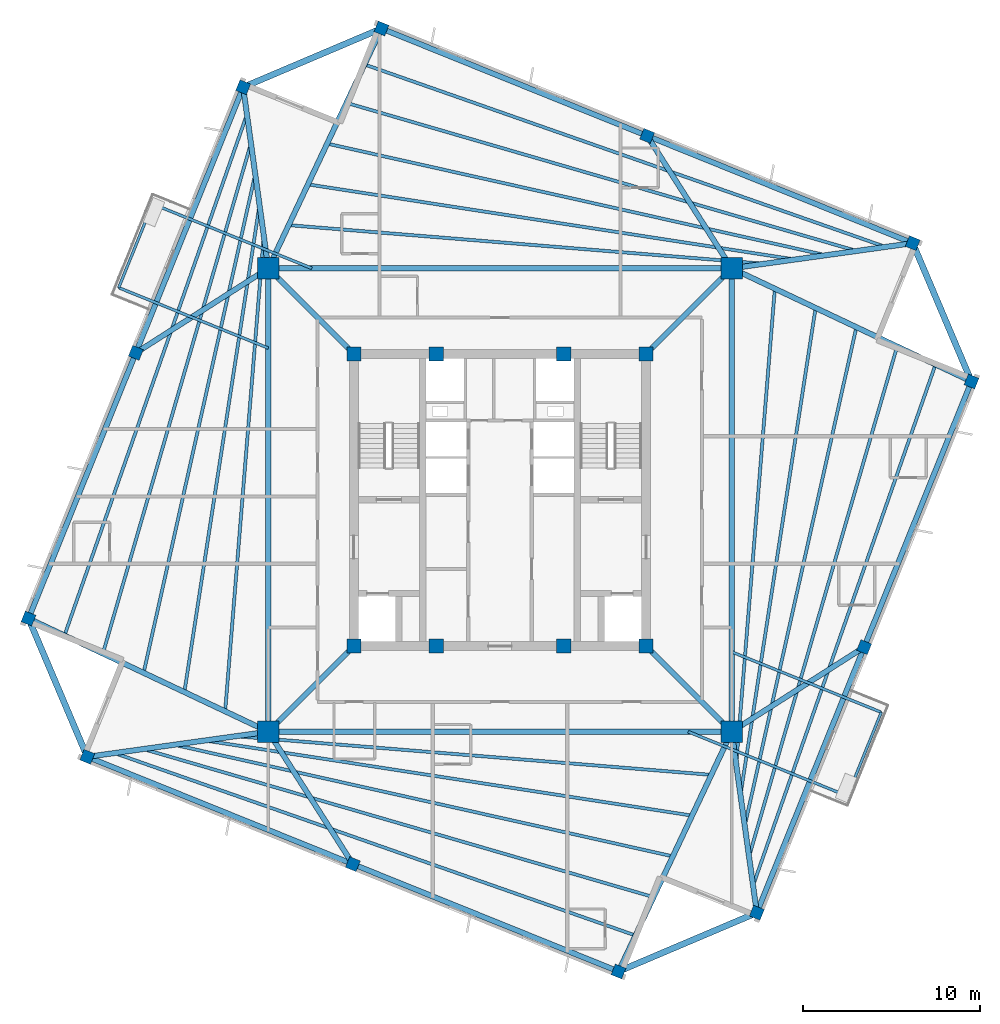
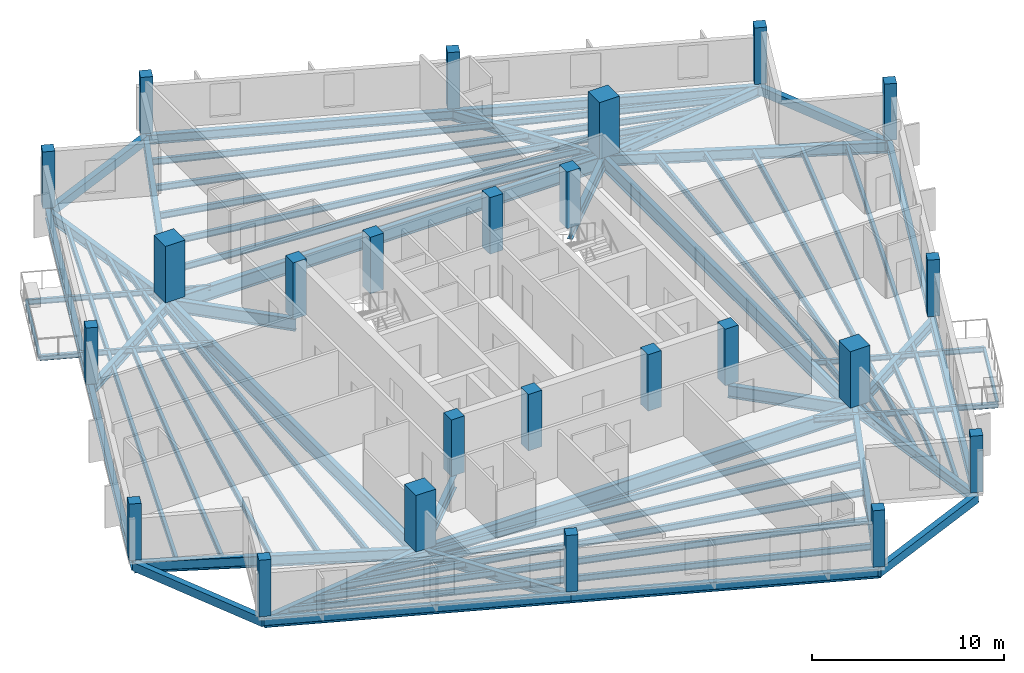
# One storey, part 1 of 9: 58 beams, 24 columns.
"""IFC4 building model written with IfcOpenShell, lengths in metres."""

from ifc_helpers import new_model, si_unit, direction, frame, origin, origin_2d, place, context, subcontext, project, spatial, rectangle, i_section, extrude, source, transform, mapped, material, material_profile, profile_set, type_object, element, save


model = new_model("IFC4")

# Units and contexts
model_context = context("Model", 3, precision=1e-05, world=origin(), true_north=direction((0.0, 1.0)))
body_context = subcontext(model_context, "Body", "Model", "MODEL_VIEW")
ifc_project = project(units=[si_unit("LENGTHUNIT", "METRE"), si_unit("AREAUNIT", "SQUARE_METRE"), si_unit("VOLUMEUNIT", "CUBIC_METRE"), si_unit("PLANEANGLEUNIT", "RADIAN"), si_unit("MASSUNIT", "GRAM", prefix="KILO"), si_unit("THERMODYNAMICTEMPERATUREUNIT", "KELVIN")], contexts=[model_context])

# Site, building, storey
site_placement = place(None, origin())
site = spatial("IfcSite", under=ifc_project, at=site_placement, CompositionType="ELEMENT")
building_placement = place(site_placement, origin())
building = spatial("IfcBuilding", under=site, at=building_placement, Name="Kosmvard Interchange Tower", CompositionType="ELEMENT")
storey_placement = place(building_placement, frame((0.0, 0.0, 272.39990234375)))
storey = spatial("IfcBuildingStorey", under=building, at=storey_placement, Name="L66", CompositionType="ELEMENT", Elevation=272.39990234375)

# Columns
ifc_material_1 = material(Name="Concrete C50/60", Category="concrete")
ifc_material_profile_1 = material_profile(ifc_material_1, rectangle(XDim=0.800048828125, YDim=0.800048828125, at=origin_2d()), Name="CP 800x800")
ifc_profile_set_1 = profile_set([ifc_material_profile_1], Name="Concrete C50/60")
column_type_1 = type_object("IfcColumnType", Name="Core Boundary Pilaster 800x800 C50/60", PredefinedType="PILASTER", material=ifc_profile_set_1)
shared_shape_1 = source(origin(), body_context, "Body", "SweptSolid", [
    extrude(rectangle(XDim=0.800048828125, YDim=0.800048828125, at=origin_2d()), origin(), (0.0, 0.0, 1.0), 3.60009765625),
])
for number, where, z_axis, x_axis, name in (
    (1, (-8.25, -8.25, 0.0), (0.0, 0.0, 1.0), (1.0, 0.0, 0.0), "L66 Core Pilaster CP1"),
    (2, (8.25, -8.25, 0.0), (0.0, 0.0, 1.0), (1.0, 0.0, 0.0), "L66 Core Pilaster CP2"),
    (3, (8.25, 8.25, 0.0), (0.0, 0.0, 1.0), (1.0, 0.0, 0.0), "L66 Core Pilaster CP3"),
    (4, (-8.25, 8.25, 0.0), (0.0, 0.0, 1.0), (1.0, 0.0, 0.0), "L66 Core Pilaster CP4"),
    (5, (-3.60009765625, -8.25, 0.0), (0.0, 0.0, 1.0), (1.0, 0.0, 0.0), "L66 Core Pilaster CP5"),
    (6, (3.60009765625, -8.25, 0.0), (0.0, 0.0, 1.0), (1.0, 0.0, 0.0), "L66 Core Pilaster CP6"),
    (7, (-3.60009765625, 8.25, 0.0), (0.0, 0.0, 1.0), (1.0, 0.0, 0.0), "L66 Core Pilaster CP7"),
    (8, (3.60009765625, 8.25, 0.0), (0.0, 0.0, 1.0), (1.0, 0.0, 0.0), "L66 Core Pilaster CP8"),
):
    element("IfcColumn", number, at=place(storey_placement, frame(where, z_axis=z_axis, x_axis=x_axis)), inside=storey, type_object=column_type_1, Name=name, PredefinedType="PILASTER", context=body_context, shape_type="MappedRepresentation", body=[
        mapped(shared_shape_1, transform((0.0, 0.0, 0.0), scale=1.0)),
    ])
ifc_material_profile_2 = material_profile(ifc_material_1, rectangle(XDim=1.199951171875, YDim=1.199951171875, at=origin_2d()), Name="MC 1200x1200")
ifc_profile_set_2 = profile_set([ifc_material_profile_2], Name="Concrete C50/60")
column_type_2 = type_object("IfcColumnType", Name="Composite Mega-Column 1200x1200 C50/60", PredefinedType="COLUMN", material=ifc_profile_set_2)
shared_shape_2 = source(origin(), body_context, "Body", "SweptSolid", [
    extrude(rectangle(XDim=1.199951171875, YDim=1.199951171875, at=origin_2d()), origin(), (0.0, 0.0, 1.0), 3.60009765625),
])
for number, where, z_axis, x_axis, name in (
    (9, (-13.0810546875, -13.0810546875, 0.0), (0.0, 0.0, 1.0), (1.0, 0.0, 0.0), "L66 Corner Mega-Column MC1"),
    (10, (13.0810546875, -13.0810546875, 0.0), (0.0, 0.0, 1.0), (1.0, 0.0, 0.0), "L66 Corner Mega-Column MC2"),
    (11, (13.0810546875, 13.0810546875, 0.0), (0.0, 0.0, 1.0), (1.0, 0.0, 0.0), "L66 Corner Mega-Column MC3"),
    (12, (-13.0810546875, 13.0810546875, 0.0), (0.0, 0.0, 1.0), (1.0, 0.0, 0.0), "L66 Corner Mega-Column MC4"),
):
    element("IfcColumn", number, at=place(storey_placement, frame(where, z_axis=z_axis, x_axis=x_axis)), inside=storey, type_object=column_type_2, Name=name, PredefinedType="COLUMN", context=body_context, shape_type="MappedRepresentation", body=[
        mapped(shared_shape_2, transform((0.0, 0.0, 0.0), scale=1.0)),
    ])
ifc_material_profile_3 = material_profile(ifc_material_1, rectangle(XDim=0.64990234375, YDim=0.64990234375, at=origin_2d()), Name="TC 650x650")
ifc_profile_set_3 = profile_set([ifc_material_profile_3], Name="Concrete C50/60")
column_type_3 = type_object("IfcColumnType", Name="Zone 5 Perimeter Pier Column 650x650 C50/60", PredefinedType="COLUMN", material=ifc_profile_set_3)
shared_shape_3 = source(origin(), body_context, "Body", "SweptSolid", [
    extrude(rectangle(XDim=0.64990234375, YDim=0.64990234375, at=origin_2d()), origin(), (0.0, 0.0, 1.0), 3.60009765625),
])
for number, where, z_axis, x_axis, name in (
    (13, (14.5009765625, -23.30419921875, 0.0), (0.0, 0.0, 1.0), (0.374606593416, 0.927183854567, 0.0), "L66 Perimeter Pier Column TC-S1"),
    (14, (20.560302734375, -8.306884765625, 0.0), (0.0, 0.0, 1.0), (0.374606593416, 0.927183854567, 0.0), "L66 Perimeter Pier Column TC-S2"),
    (15, (26.61962890625, 6.690185546875, 0.0), (0.0, 0.0, 1.0), (0.374606593416, 0.927183854567, 0.0), "L66 Perimeter Pier Column TC-S3"),
    (16, (23.30419921875, 14.5009765625, 0.0), (0.0, 0.0, 1.0), (0.374606593416, 0.927183854567, 0.0), "L66 Perimeter Pier Column TC-E1"),
    (17, (8.306884765625, 20.560302734375, 0.0), (0.0, 0.0, 1.0), (0.374606593416, 0.927183854567, 0.0), "L66 Perimeter Pier Column TC-E2"),
    (18, (-6.690185546875, 26.61962890625, 0.0), (0.0, 0.0, 1.0), (0.374606593416, 0.927183854567, 0.0), "L66 Perimeter Pier Column TC-E3"),
    (19, (-14.5009765625, 23.30419921875, 0.0), (0.0, 0.0, 1.0), (0.374606593416, 0.927183854567, 0.0), "L66 Perimeter Pier Column TC-N1"),
    (20, (-20.560302734375, 8.306884765625, 0.0), (0.0, 0.0, 1.0), (0.374606593416, 0.927183854567, 0.0), "L66 Perimeter Pier Column TC-N2"),
    (21, (-26.61962890625, -6.690185546875, 0.0), (0.0, 0.0, 1.0), (0.374606593416, 0.927183854567, 0.0), "L66 Perimeter Pier Column TC-N3"),
    (22, (-23.30419921875, -14.5009765625, 0.0), (0.0, 0.0, 1.0), (0.374606593416, 0.927183854567, 0.0), "L66 Perimeter Pier Column TC-W1"),
    (23, (-8.306884765625, -20.560302734375, 0.0), (0.0, 0.0, 1.0), (0.374606593416, 0.927183854567, 0.0), "L66 Perimeter Pier Column TC-W2"),
    (24, (6.690185546875, -26.61962890625, 0.0), (0.0, 0.0, 1.0), (0.374606593416, 0.927183854567, 0.0), "L66 Perimeter Pier Column TC-W3"),
):
    element("IfcColumn", number, at=place(storey_placement, frame(where, z_axis=z_axis, x_axis=x_axis)), inside=storey, type_object=column_type_3, Name=name, PredefinedType="COLUMN", context=body_context, shape_type="MappedRepresentation", body=[
        mapped(shared_shape_3, transform((0.0, 0.0, 0.0), scale=1.0)),
    ])

# Beams
ifc_material_2 = material(Name="Steel S355", Category="steel")
ifc_material_profile_4 = material_profile(ifc_material_2, i_section(OverallWidth=0.14990234375, OverallDepth=0.300048828125, WebThickness=0.007080078125, FlangeThickness=0.0107421875, FilletRadius=0.014892578125, at=origin_2d()), Name="IPE 300")
ifc_profile_set_4 = profile_set([ifc_material_profile_4], Name="Steel S355")
beam_type_1 = type_object("IfcBeamType", Name="Balcony Edge Header Joist IPE 300 S355", PredefinedType="JOIST", material=ifc_profile_set_4)
shared_shape_4 = source(origin(), body_context, "Body", "SweptSolid", [
    extrude(i_section(OverallWidth=0.14990234375, OverallDepth=0.300048828125, WebThickness=0.007080078125, FlangeThickness=0.0107421875, FilletRadius=0.014892578125, at=origin_2d()), origin(), (0.0, 0.0, 1.0), 5.099853515625),
])
for number, where, z_axis, x_axis, name in (
    (25, (-19.61669921875, 16.715576171875, -0.39990234375), (-0.374599188035, -0.9271868465, 0.0), (0.9271868465, -0.374599188035, 0.0), "BM-L66-BJH1"),
    (26, (19.61669921875, -16.715576171875, -0.39990234375), (0.374599188035, 0.9271868465, 0.0), (-0.9271868465, 0.374599188035, 0.0), "BM-L66-BJH2"),
):
    element("IfcBeam", number, at=place(storey_placement, frame(where, z_axis=z_axis, x_axis=x_axis)), inside=storey, type_object=beam_type_1, Name=name, PredefinedType="JOIST", context=body_context, shape_type="MappedRepresentation", body=[
        mapped(shared_shape_4, transform((0.0, 0.0, 0.0), scale=1.0)),
    ])
ifc_material_profile_5 = material_profile(ifc_material_2, i_section(OverallWidth=0.300048828125, OverallDepth=0.800048828125, WebThickness=0.017578125, FlangeThickness=0.032958984375, FilletRadius=0.027099609375, at=origin_2d()), Name="HEB 800")
ifc_profile_set_5 = profile_set([ifc_material_profile_5], Name="Steel S355")
beam_type_2 = type_object("IfcBeamType", Name="Primary Mega-Frame Girder HEB 800 S355", PredefinedType="BEAM", material=ifc_profile_set_5)
shared_shape_5 = source(origin(), body_context, "Body", "SweptSolid", [
    extrude(i_section(OverallWidth=0.300048828125, OverallDepth=0.800048828125, WebThickness=0.017578125, FlangeThickness=0.032958984375, FilletRadius=0.027099609375, at=origin_2d()), origin(), (0.0, 0.0, 1.0), 6.83203125),
])
for number, where, z_axis, x_axis, name in (
    (27, (-8.25, -8.25, -0.64990234375), (-0.707106781187, -0.707106781187, 0.0), (0.707106781187, -0.707106781187, 0.0), "L66 Radial Mega-Frame Girder 1"),
    (28, (8.25, -8.25, -0.64990234375), (0.707106781187, -0.707106781187, 0.0), (0.707106781187, 0.707106781187, 0.0), "L66 Radial Mega-Frame Girder 2"),
    (29, (8.25, 8.25, -0.64990234375), (0.707106781187, 0.707106781187, 0.0), (-0.707106781187, 0.707106781187, 0.0), "L66 Radial Mega-Frame Girder 3"),
    (30, (-8.25, 8.25, -0.64990234375), (-0.707106781187, 0.707106781187, 0.0), (-0.707106781187, -0.707106781187, 0.0), "L66 Radial Mega-Frame Girder 4"),
):
    element("IfcBeam", number, at=place(storey_placement, frame(where, z_axis=z_axis, x_axis=x_axis)), inside=storey, type_object=beam_type_2, Name=name, PredefinedType="BEAM", context=body_context, shape_type="MappedRepresentation", body=[
        mapped(shared_shape_5, transform((0.0, 0.0, 0.0), scale=1.0)),
    ])
ifc_material_profile_6 = material_profile(ifc_material_2, i_section(OverallWidth=0.300048828125, OverallDepth=0.89990234375, WebThickness=0.0185546875, FlangeThickness=0.034912109375, FilletRadius=0.030029296875, at=origin_2d()), Name="HEB 900")
ifc_profile_set_6 = profile_set([ifc_material_profile_6], Name="Steel S355")
beam_type_3 = type_object("IfcBeamType", Name="Mega-Column Ring Girder HEB 900 S355", PredefinedType="BEAM", material=ifc_profile_set_6)
shared_shape_6 = source(origin(), body_context, "Body", "SweptSolid", [
    extrude(i_section(OverallWidth=0.300048828125, OverallDepth=0.89990234375, WebThickness=0.0185546875, FlangeThickness=0.034912109375, FilletRadius=0.030029296875, at=origin_2d()), origin(), (0.0, 0.0, 1.0), 26.162109375),
])
for number, where, z_axis, x_axis, name in (
    (31, (-13.0810546875, -13.0810546875, -0.699951171875), (1.0, 0.0, 0.0), (0.0, 1.0, 0.0), "L66 Mega-Column Ring Girder 1"),
    (32, (13.0810546875, -13.0810546875, -0.699951171875), (0.0, 1.0, 0.0), (-1.0, 0.0, 0.0), "L66 Mega-Column Ring Girder 2"),
    (33, (13.0810546875, 13.0810546875, -0.699951171875), (-1.0, 0.0, 0.0), (0.0, -1.0, 0.0), "L66 Mega-Column Ring Girder 3"),
    (34, (-13.0810546875, 13.0810546875, -0.699951171875), (0.0, -1.0, 0.0), (1.0, 0.0, 0.0), "L66 Mega-Column Ring Girder 4"),
):
    element("IfcBeam", number, at=place(storey_placement, frame(where, z_axis=z_axis, x_axis=x_axis)), inside=storey, type_object=beam_type_3, Name=name, PredefinedType="BEAM", context=body_context, shape_type="MappedRepresentation", body=[
        mapped(shared_shape_6, transform((0.0, 0.0, 0.0), scale=1.0)),
    ])
ifc_material_profile_7 = material_profile(ifc_material_2, i_section(OverallWidth=0.300048828125, OverallDepth=0.60009765625, WebThickness=0.015380859375, FlangeThickness=0.030029296875, FilletRadius=0.027099609375, at=origin_2d()), Name="HEB 600")
ifc_profile_set_7 = profile_set([ifc_material_profile_7], Name="Steel S355")
beam_type_4 = type_object("IfcBeamType", Name="Perimeter Tie Girder HEB 600 S355", PredefinedType="BEAM", material=ifc_profile_set_7)
shared_shape_7 = source(origin(), body_context, "Body", "SweptSolid", [
    extrude(i_section(OverallWidth=0.300048828125, OverallDepth=0.60009765625, WebThickness=0.015380859375, FlangeThickness=0.030029296875, FilletRadius=0.027099609375, at=origin_2d()), origin(), (0.0, 0.0, 1.0), 16.175048828125),
])
for number, where, z_axis, x_axis, name in (
    (35, (14.5009765625, -23.30419921875, -0.5498046875), (0.374607540279, 0.927183472009, 0.0), (-0.927183472009, 0.374607540279, 0.0), "BM-L66-PR01"),
    (36, (23.30419921875, 14.5009765625, -0.5498046875), (-0.927183472009, 0.374607540279, 0.0), (-0.374607540279, -0.927183472009, 0.0), "BM-L66-PR04"),
    (37, (-14.5009765625, 23.30419921875, -0.5498046875), (-0.374607540279, -0.927183472009, 0.0), (0.927183472009, -0.374607540279, 0.0), "BM-L66-PR07"),
    (38, (-23.30419921875, -14.5009765625, -0.5498046875), (0.927183472009, -0.374607540279, 0.0), (0.374607540279, 0.927183472009, 0.0), "BM-L66-PR10"),
):
    element("IfcBeam", number, at=place(storey_placement, frame(where, z_axis=z_axis, x_axis=x_axis)), inside=storey, type_object=beam_type_4, Name=name, PredefinedType="BEAM", context=body_context, shape_type="MappedRepresentation", body=[
        mapped(shared_shape_7, transform((0.0, 0.0, 0.0), scale=1.0)),
    ])
ifc_material_profile_8 = material_profile(ifc_material_2, i_section(OverallWidth=0.300048828125, OverallDepth=0.64990234375, WebThickness=0.01611328125, FlangeThickness=0.031005859375, FilletRadius=0.027099609375, at=origin_2d()), Name="HEB 650")
ifc_profile_set_8 = profile_set([ifc_material_profile_8], Name="Steel S355")
beam_type_5 = type_object("IfcBeamType", Name="Primary Floor Girder HEB 650 S355", PredefinedType="BEAM", material=ifc_profile_set_8)
shared_shape_8 = source(origin(), body_context, "Body", "SweptSolid", [
    extrude(i_section(OverallWidth=0.300048828125, OverallDepth=0.64990234375, WebThickness=0.01611328125, FlangeThickness=0.031005859375, FilletRadius=0.027099609375, at=origin_2d()), origin(), (0.0, 0.0, 1.0), 10.3212890625),
])
for number, where, z_axis, x_axis, name in (
    (39, (13.0810546875, -13.0810546875, -0.574951171875), (0.137572239014, -0.990491735984, 0.0), (0.990491735984, 0.137572239014, 0.0), "BM-L66-RD01"),
    (40, (13.0810546875, 13.0810546875, -0.574951171875), (0.990491735984, 0.137572239014, 0.0), (-0.137572239014, 0.990491735984, 0.0), "BM-L66-RD04"),
    (41, (-13.0810546875, 13.0810546875, -0.574951171875), (-0.137572239014, 0.990491735984, 0.0), (-0.990491735984, -0.137572239014, 0.0), "BM-L66-RD07"),
    (42, (-13.0810546875, -13.0810546875, -0.574951171875), (-0.990491735984, -0.137572239014, 0.0), (0.137572239014, -0.990491735984, 0.0), "BM-L66-RD10"),
):
    element("IfcBeam", number, at=place(storey_placement, frame(where, z_axis=z_axis, x_axis=x_axis)), inside=storey, type_object=beam_type_5, Name=name, PredefinedType="BEAM", context=body_context, shape_type="MappedRepresentation", body=[
        mapped(shared_shape_8, transform((0.0, 0.0, 0.0), scale=1.0)),
    ])
shared_shape_9 = source(origin(), body_context, "Body", "SweptSolid", [
    extrude(i_section(OverallWidth=0.300048828125, OverallDepth=0.60009765625, WebThickness=0.015380859375, FlangeThickness=0.030029296875, FilletRadius=0.027099609375, at=origin_2d()), origin(), (0.0, 0.0, 1.0), 16.1748046875),
])
for number, where, z_axis, x_axis, name in (
    (43, (20.560302734375, -8.306884765625, -0.5498046875), (0.374612782798, 0.92718135387, 0.0), (-0.92718135387, 0.374612782798, 0.0), "BM-L66-PR02"),
    (44, (8.306884765625, 20.560302734375, -0.5498046875), (-0.92718135387, 0.374612782798, 0.0), (-0.374612782798, -0.92718135387, 0.0), "BM-L66-PR05"),
    (45, (-20.560302734375, 8.306884765625, -0.5498046875), (-0.374612782798, -0.92718135387, 0.0), (0.92718135387, -0.374612782798, 0.0), "BM-L66-PR08"),
    (46, (-8.306884765625, -20.560302734375, -0.5498046875), (0.92718135387, -0.374612782798, 0.0), (0.374612782798, 0.92718135387, 0.0), "BM-L66-PR11"),
):
    element("IfcBeam", number, at=place(storey_placement, frame(where, z_axis=z_axis, x_axis=x_axis)), inside=storey, type_object=beam_type_4, Name=name, PredefinedType="BEAM", context=body_context, shape_type="MappedRepresentation", body=[
        mapped(shared_shape_9, transform((0.0, 0.0, 0.0), scale=1.0)),
    ])
shared_shape_10 = source(origin(), body_context, "Body", "SweptSolid", [
    extrude(i_section(OverallWidth=0.300048828125, OverallDepth=0.64990234375, WebThickness=0.01611328125, FlangeThickness=0.031005859375, FilletRadius=0.027099609375, at=origin_2d()), origin(), (0.0, 0.0, 1.0), 8.873046875),
])
for number, where, z_axis, x_axis, name in (
    (47, (13.0810546875, -13.0810546875, -0.574951171875), (0.842912916934, 0.538050011119, 0.0), (-0.538050011119, 0.842912916934, 0.0), "BM-L66-RD02"),
    (48, (13.0810546875, 13.0810546875, -0.574951171875), (-0.538050011119, 0.842912916934, 0.0), (-0.842912916934, -0.538050011119, 0.0), "BM-L66-RD05"),
    (49, (-13.0810546875, 13.0810546875, -0.574951171875), (-0.842912916934, -0.538050011119, 0.0), (0.538050011119, -0.842912916934, 0.0), "BM-L66-RD08"),
    (50, (-13.0810546875, -13.0810546875, -0.574951171875), (0.538050011119, -0.842912916934, 0.0), (0.842912916934, 0.538050011119, 0.0), "BM-L66-RD11"),
):
    element("IfcBeam", number, at=place(storey_placement, frame(where, z_axis=z_axis, x_axis=x_axis)), inside=storey, type_object=beam_type_5, Name=name, PredefinedType="BEAM", context=body_context, shape_type="MappedRepresentation", body=[
        mapped(shared_shape_10, transform((0.0, 0.0, 0.0), scale=1.0)),
    ])
ifc_material_3 = material(Name="Precast concrete C45/55", Category="concrete")
ifc_material_profile_9 = material_profile(ifc_material_3, rectangle(XDim=0.35009765625, YDim=0.550048828125, at=origin_2d()), Name="SL 350x550")
ifc_profile_set_9 = profile_set([ifc_material_profile_9], Name="Precast concrete C45/55")
beam_type_6 = type_object("IfcBeamType", Name="Precast Spandrel Lintel 350x550 C45/55", PredefinedType="LINTEL", material=ifc_profile_set_9)
shared_shape_11 = source(origin(), body_context, "Body", "SweptSolid", [
    extrude(rectangle(XDim=0.35009765625, YDim=0.550048828125, at=origin_2d()), origin(), (0.0, 0.0, 1.0), 8.4853515625),
])
for number, where, z_axis, x_axis, name in (
    (51, (26.61962890625, 6.690185546875, -0.52490234375), (-0.390725696857, 0.920507159025, 0.0), (-0.920507159025, -0.390725696857, 0.0), "BM-L66-SL1"),
    (52, (-6.690185546875, 26.61962890625, -0.52490234375), (-0.920507159025, -0.390725696857, 0.0), (0.390725696857, -0.920507159025, 0.0), "BM-L66-SL2"),
    (53, (-26.61962890625, -6.690185546875, -0.52490234375), (0.390725696857, -0.920507159025, 0.0), (0.920507159025, 0.390725696857, 0.0), "BM-L66-SL3"),
    (54, (6.690185546875, -26.61962890625, -0.52490234375), (0.920507159025, 0.390725696857, 0.0), (-0.390725696857, 0.920507159025, 0.0), "BM-L66-SL4"),
):
    element("IfcBeam", number, at=place(storey_placement, frame(where, z_axis=z_axis, x_axis=x_axis)), inside=storey, type_object=beam_type_6, Name=name, PredefinedType="LINTEL", context=body_context, shape_type="MappedRepresentation", body=[
        mapped(shared_shape_11, transform((0.0, 0.0, 0.0), scale=1.0)),
    ])
ifc_material_profile_10 = material_profile(ifc_material_2, i_section(OverallWidth=0.300048828125, OverallDepth=0.699951171875, WebThickness=0.01708984375, FlangeThickness=0.031982421875, FilletRadius=0.027099609375, at=origin_2d()), Name="HEB 700")
ifc_profile_set_10 = profile_set([ifc_material_profile_10], Name="Steel S355")
beam_type_7 = type_object("IfcBeamType", Name="Primary Floor Girder HEB 700 S355", PredefinedType="BEAM", material=ifc_profile_set_10)
shared_shape_12 = source(origin(), body_context, "Body", "SweptSolid", [
    extrude(i_section(OverallWidth=0.300048828125, OverallDepth=0.699951171875, WebThickness=0.01708984375, FlangeThickness=0.031982421875, FilletRadius=0.027099609375, at=origin_2d()), origin(), (0.0, 0.0, 1.0), 14.97119140625),
])
for number, where, z_axis, x_axis, name in (
    (55, (13.0810546875, 13.0810546875, -0.599853515625), (0.904309155001, -0.426878146761, 0.0), (0.426878146761, 0.904309155001, 0.0), "BM-L66-RD03"),
    (56, (-13.0810546875, 13.0810546875, -0.599853515625), (0.426878146761, 0.904309155001, 0.0), (-0.904309155001, 0.426878146761, 0.0), "BM-L66-RD06"),
    (57, (-13.0810546875, -13.0810546875, -0.599853515625), (-0.904309155001, 0.426878146761, 0.0), (-0.426878146761, -0.904309155001, 0.0), "BM-L66-RD09"),
    (58, (13.0810546875, -13.0810546875, -0.599853515625), (-0.426878146761, -0.904309155001, 0.0), (0.904309155001, -0.426878146761, 0.0), "BM-L66-RD12"),
):
    element("IfcBeam", number, at=place(storey_placement, frame(where, z_axis=z_axis, x_axis=x_axis)), inside=storey, type_object=beam_type_7, Name=name, PredefinedType="BEAM", context=body_context, shape_type="MappedRepresentation", body=[
        mapped(shared_shape_12, transform((0.0, 0.0, 0.0), scale=1.0)),
    ])
ifc_material_profile_11 = material_profile(ifc_material_2, i_section(OverallWidth=0.179931640625, OverallDepth=0.39990234375, WebThickness=0.008544921875, FlangeThickness=0.013427734375, FilletRadius=0.02099609375, at=origin_2d()), Name="IPE 400")
ifc_profile_set_11 = profile_set([ifc_material_profile_11], Name="Steel S355")
beam_type_8 = type_object("IfcBeamType", Name="Upper-Zone Floor Joist IPE 400 S355", PredefinedType="JOIST", material=ifc_profile_set_11)
shared_shape_13 = source(origin(), body_context, "Body", "SweptSolid", [
    extrude(i_section(OverallWidth=0.179931640625, OverallDepth=0.39990234375, WebThickness=0.008544921875, FlangeThickness=0.013427734375, FilletRadius=0.02099609375, at=origin_2d()), origin(), (0.0, 0.0, 1.0), 26.780029296875),
])
for number, where, z_axis, x_axis, name in (
    (59, (13.343017578125, -14.84130859375, -0.449951171875), (0.080972773487, 0.996716313679, 0.0), (-0.996716313679, 0.080972773487, 0.0), "BM-L66-FJ01"),
    (60, (14.84130859375, 13.343017578125, -0.449951171875), (-0.996716313679, 0.080972773487, 0.0), (-0.080972773487, -0.996716313679, 0.0), "BM-L66-FJ06"),
    (61, (-13.343017578125, 14.84130859375, -0.449951171875), (-0.080972773487, -0.996716313679, 0.0), (0.996716313679, -0.080972773487, 0.0), "BM-L66-FJ11"),
    (62, (-14.84130859375, -13.343017578125, -0.449951171875), (0.996716313679, -0.080972773487, 0.0), (0.080972773487, 0.996716313679, 0.0), "BM-L66-FJ16"),
):
    element("IfcBeam", number, at=place(storey_placement, frame(where, z_axis=z_axis, x_axis=x_axis)), inside=storey, type_object=beam_type_8, Name=name, PredefinedType="JOIST", context=body_context, shape_type="MappedRepresentation", body=[
        mapped(shared_shape_13, transform((0.0, 0.0, 0.0), scale=1.0)),
    ])
shared_shape_14 = source(origin(), body_context, "Body", "SweptSolid", [
    extrude(i_section(OverallWidth=0.179931640625, OverallDepth=0.39990234375, WebThickness=0.008544921875, FlangeThickness=0.013427734375, FilletRadius=0.02099609375, at=origin_2d()), origin(), (0.0, 0.0, 1.0), 27.66845703125),
])
for number, where, z_axis, x_axis, name in (
    (63, (13.590087890625, -16.580078125, -0.449951171875), (0.152421855854, 0.988315525456, 0.0), (-0.988315525456, 0.152421855854, 0.0), "BM-L66-FJ02"),
    (64, (16.580078125, 13.590087890625, -0.449951171875), (-0.988315525456, 0.152421855854, 0.0), (-0.152421855854, -0.988315525456, 0.0), "BM-L66-FJ07"),
    (65, (-13.590087890625, 16.580078125, -0.449951171875), (-0.152421855854, -0.988315525456, 0.0), (0.988315525456, -0.152421855854, 0.0), "BM-L66-FJ12"),
    (66, (-16.580078125, -13.590087890625, -0.449951171875), (0.988315525456, -0.152421855854, 0.0), (0.152421855854, 0.988315525456, 0.0), "BM-L66-FJ17"),
):
    element("IfcBeam", number, at=place(storey_placement, frame(where, z_axis=z_axis, x_axis=x_axis)), inside=storey, type_object=beam_type_8, Name=name, PredefinedType="JOIST", context=body_context, shape_type="MappedRepresentation", body=[
        mapped(shared_shape_14, transform((0.0, 0.0, 0.0), scale=1.0)),
    ])
shared_shape_15 = source(origin(), body_context, "Body", "SweptSolid", [
    extrude(i_section(OverallWidth=0.179931640625, OverallDepth=0.39990234375, WebThickness=0.008544921875, FlangeThickness=0.013427734375, FilletRadius=0.02099609375, at=origin_2d()), origin(), (0.0, 0.0, 1.0), 28.691162109375),
])
for number, where, z_axis, x_axis, name in (
    (67, (13.8369140625, -18.31884765625, -0.449951171875), (0.218415018158, 0.975855972899, 0.0), (-0.975855972899, 0.218415018158, 0.0), "BM-L66-FJ03"),
    (68, (18.31884765625, 13.8369140625, -0.449951171875), (-0.975855972899, 0.218415018158, 0.0), (-0.218415018158, -0.975855972899, 0.0), "BM-L66-FJ08"),
    (69, (-13.8369140625, 18.31884765625, -0.449951171875), (-0.218415018158, -0.975855972899, 0.0), (0.975855972899, -0.218415018158, 0.0), "BM-L66-FJ13"),
    (70, (-18.31884765625, -13.8369140625, -0.449951171875), (0.975855972899, -0.218415018158, 0.0), (0.218415018158, 0.975855972899, 0.0), "BM-L66-FJ18"),
):
    element("IfcBeam", number, at=place(storey_placement, frame(where, z_axis=z_axis, x_axis=x_axis)), inside=storey, type_object=beam_type_8, Name=name, PredefinedType="JOIST", context=body_context, shape_type="MappedRepresentation", body=[
        mapped(shared_shape_15, transform((0.0, 0.0, 0.0), scale=1.0)),
    ])
shared_shape_16 = source(origin(), body_context, "Body", "SweptSolid", [
    extrude(i_section(OverallWidth=0.179931640625, OverallDepth=0.39990234375, WebThickness=0.008544921875, FlangeThickness=0.013427734375, FilletRadius=0.02099609375, at=origin_2d()), origin(), (0.0, 0.0, 1.0), 29.83544921875),
])
for number, where, z_axis, x_axis, name in (
    (71, (14.0830078125, -20.05810546875, -0.449951171875), (0.27877586881, 0.960356191717, 0.0), (-0.960356191717, 0.27877586881, 0.0), "BM-L66-FJ04"),
    (72, (20.05810546875, 14.0830078125, -0.449951171875), (-0.960356191717, 0.27877586881, 0.0), (-0.27877586881, -0.960356191717, 0.0), "BM-L66-FJ09"),
    (73, (-14.0830078125, 20.05810546875, -0.449951171875), (-0.27877586881, -0.960356191717, 0.0), (0.960356191717, -0.27877586881, 0.0), "BM-L66-FJ14"),
    (74, (-20.05810546875, -14.0830078125, -0.449951171875), (0.960356191717, -0.27877586881, 0.0), (0.27877586881, 0.960356191717, 0.0), "BM-L66-FJ19"),
):
    element("IfcBeam", number, at=place(storey_placement, frame(where, z_axis=z_axis, x_axis=x_axis)), inside=storey, type_object=beam_type_8, Name=name, PredefinedType="JOIST", context=body_context, shape_type="MappedRepresentation", body=[
        mapped(shared_shape_16, transform((0.0, 0.0, 0.0), scale=1.0)),
    ])
shared_shape_17 = source(origin(), body_context, "Body", "SweptSolid", [
    extrude(i_section(OverallWidth=0.179931640625, OverallDepth=0.39990234375, WebThickness=0.008544921875, FlangeThickness=0.013427734375, FilletRadius=0.02099609375, at=origin_2d()), origin(), (0.0, 0.0, 1.0), 31.0107421875),
])
for number, where, z_axis, x_axis, name in (
    (75, (14.314453125, -21.695068359375, -0.449951171875), (0.330459834828, 0.943820055713, 0.0), (-0.943820055713, 0.330459834828, 0.0), "BM-L66-FJ05"),
    (76, (21.695068359375, 14.314453125, -0.449951171875), (-0.943820055713, 0.330459834828, 0.0), (-0.330459834828, -0.943820055713, 0.0), "BM-L66-FJ10"),
    (77, (-14.314453125, 21.695068359375, -0.449951171875), (-0.330459834828, -0.943820055713, 0.0), (0.943820055713, -0.330459834828, 0.0), "BM-L66-FJ15"),
    (78, (-21.695068359375, -14.314453125, -0.449951171875), (0.943820055713, -0.330459834828, 0.0), (0.330459834828, 0.943820055713, 0.0), "BM-L66-FJ20"),
):
    element("IfcBeam", number, at=place(storey_placement, frame(where, z_axis=z_axis, x_axis=x_axis)), inside=storey, type_object=beam_type_8, Name=name, PredefinedType="JOIST", context=body_context, shape_type="MappedRepresentation", body=[
        mapped(shared_shape_17, transform((0.0, 0.0, 0.0), scale=1.0)),
    ])
ifc_material_profile_12 = material_profile(ifc_material_2, i_section(OverallWidth=0.159912109375, OverallDepth=0.330078125, WebThickness=0.007568359375, FlangeThickness=0.011474609375, FilletRadius=0.01806640625, at=origin_2d()), Name="IPE 330")
ifc_profile_set_12 = profile_set([ifc_material_profile_12], Name="Steel S355")
beam_type_9 = type_object("IfcBeamType", Name="Balcony Cantilever Joist IPE 330 S355", PredefinedType="JOIST", material=ifc_profile_set_12)
shared_shape_18 = source(origin(), body_context, "Body", "SweptSolid", [
    extrude(i_section(OverallWidth=0.159912109375, OverallDepth=0.330078125, WebThickness=0.007568359375, FlangeThickness=0.011474609375, FilletRadius=0.01806640625, at=origin_2d()), origin(), (0.0, 0.0, 1.0), 9.702880859375),
])
for number, where, z_axis, x_axis, name in (
    (79, (-10.620361328125, 13.0810546875, -0.414794921875), (-0.927192265168, 0.374585775775, 0.0), (-0.374585775775, -0.927192265168, 0.0), "BM-L66-BJ1"),
    (80, (10.620361328125, -13.0810546875, -0.414794921875), (0.927192265168, -0.374585775775, 0.0), (0.374585775775, 0.927192265168, 0.0), "BM-L66-BJ2"),
):
    element("IfcBeam", number, at=place(storey_placement, frame(where, z_axis=z_axis, x_axis=x_axis)), inside=storey, type_object=beam_type_9, Name=name, PredefinedType="JOIST", context=body_context, shape_type="MappedRepresentation", body=[
        mapped(shared_shape_18, transform((0.0, 0.0, 0.0), scale=1.0)),
    ])
shared_shape_19 = source(origin(), body_context, "Body", "SweptSolid", [
    extrude(i_section(OverallWidth=0.159912109375, OverallDepth=0.330078125, WebThickness=0.007568359375, FlangeThickness=0.011474609375, FilletRadius=0.01806640625, at=origin_2d()), origin(), (0.0, 0.0, 1.0), 9.109375),
])
for number, where, z_axis, x_axis, name in (
    (81, (-13.0810546875, 8.57470703125, -0.414794921875), (-0.927186528809, 0.374599974365, 0.0), (-0.374599974365, -0.927186528809, 0.0), "BM-L66-BJB1"),
    (82, (13.0810546875, -8.57470703125, -0.414794921875), (0.927186528809, -0.374599974365, 0.0), (0.374599974365, 0.927186528809, 0.0), "BM-L66-BJB2"),
):
    element("IfcBeam", number, at=place(storey_placement, frame(where, z_axis=z_axis, x_axis=x_axis)), inside=storey, type_object=beam_type_9, Name=name, PredefinedType="JOIST", context=body_context, shape_type="MappedRepresentation", body=[
        mapped(shared_shape_19, transform((0.0, 0.0, 0.0), scale=1.0)),
    ])

save(model, "model.ifc")
